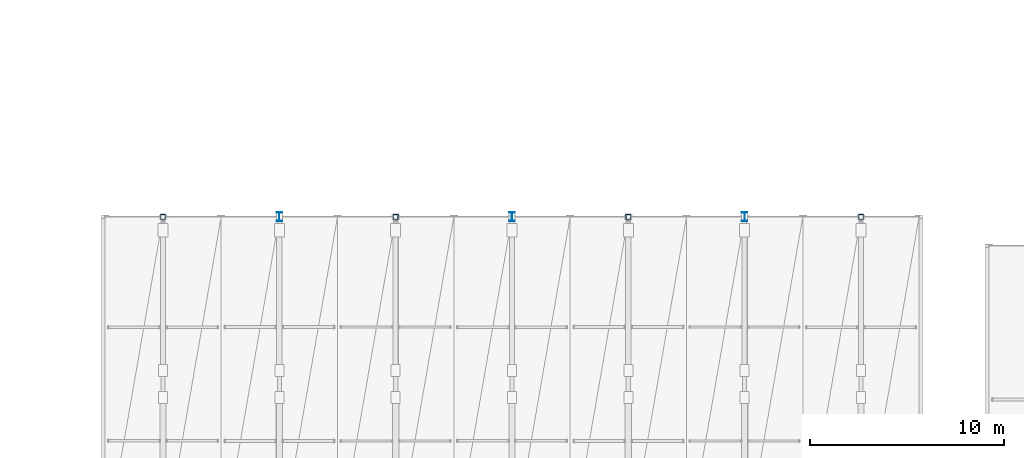
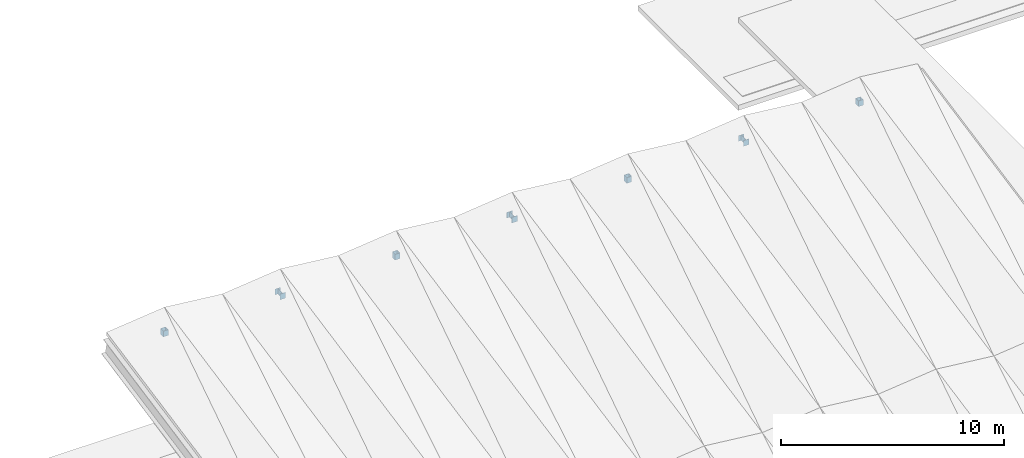
# One storey, part 13 of 52: 7 members.
"""IFC4 building model written with IfcOpenShell, lengths in metres."""

from ifc_helpers import new_model, si_unit, direction, frame, origin, origin_2d, place, context, subcontext, project, spatial, hollow_rectangle, i_section, extrude, material, material_profile, profile_set, type_object, element, save


model = new_model("IFC4")

# Units and contexts
model_context = context("Model", 3, precision=1e-05, world=origin(), true_north=direction((0.0, 1.0)))
body_context = subcontext(model_context, "Body", "Model", "MODEL_VIEW")
ifc_project = project(units=[si_unit("LENGTHUNIT", "METRE"), si_unit("AREAUNIT", "SQUARE_METRE"), si_unit("VOLUMEUNIT", "CUBIC_METRE"), si_unit("PLANEANGLEUNIT", "RADIAN"), si_unit("MASSUNIT", "GRAM", prefix="KILO")], contexts=[model_context])

# Site, building, storey
site_placement = place(None, origin())
site = spatial("IfcSite", under=ifc_project, at=site_placement, CompositionType="ELEMENT")
building_placement = place(site_placement, origin())
building = spatial("IfcBuilding", under=site, at=building_placement, Name="Vaelkrest Opera House", CompositionType="ELEMENT")
storey_placement = place(building_placement, frame((0.0, 0.0, 41.39990234375)))
storey = spatial("IfcBuildingStorey", under=building, at=storey_placement, Name="ROOF", CompositionType="ELEMENT", Elevation=41.39990234375)

# Members
ifc_material_1 = material(Name="Steel A992 Gr50", Category="steel")
ifc_material_profile_1 = material_profile(ifc_material_1, i_section(OverallWidth=0.280029296875, OverallDepth=0.462890625, WebThickness=0.0107421875, FlangeThickness=0.017333984375, at=origin_2d()), Name="W18X76")
ifc_profile_set_1 = profile_set([ifc_material_profile_1], Name="Steel A992 Gr50")
member_type_1 = type_object("IfcMemberType", Name="TC01", PredefinedType="CHORD", material=ifc_profile_set_1)
for number, where, z_axis, x_axis, name in (
    (1, (-66.60009765625, 17.699951171875, -11.7109375), (0.0, 0.0, 1.0), (1.0, 0.0, 0.0), "Ridge saddle post V3-N-03"),
    (2, (-54.60009765625, 17.699951171875, -11.7109375), (0.0, 0.0, 1.0), (1.0, 0.0, 0.0), "Ridge saddle post V3-N-07"),
    (3, (-42.60009765625, 17.699951171875, -11.7109375), (0.0, 0.0, 1.0), (1.0, 0.0, 0.0), "Ridge saddle post V3-N-11"),
):
    element("IfcMember", number, at=place(storey_placement, frame(where, z_axis=z_axis, x_axis=x_axis)), inside=storey, type_object=member_type_1, Name=name, PredefinedType="CHORD", context=body_context, shape_type="SweptSolid", body=[
        extrude(i_section(OverallWidth=0.280029296875, OverallDepth=0.462890625, WebThickness=0.0107421875, FlangeThickness=0.017333984375, at=origin_2d()), origin(), (0.0, 0.0, 1.0), 0.31298828125),
    ])
ifc_material_2 = material(Name="Steel A500 GrC", Category="steel")
ifc_material_profile_2 = material_profile(ifc_material_2, hollow_rectangle(XDim=0.25390625, YDim=0.25390625, WallThickness=0.0126953125, at=origin_2d()), Name="HSS254X254X12.7")
ifc_profile_set_2 = profile_set([ifc_material_profile_2], Name="Steel A500 GrC")
member_type_2 = type_object("IfcMemberType", Name="TC04", PredefinedType="CHORD", material=ifc_profile_set_2)
for number, where, z_axis, x_axis, name in (
    (4, (-72.60009765625, 17.699951171875, -11.7109375), (0.0, 0.0, 1.0), (1.0, 0.0, 0.0), "Ridge saddle post V3-N-01"),
    (5, (-60.60009765625, 17.699951171875, -11.7109375), (0.0, 0.0, 1.0), (1.0, 0.0, 0.0), "Ridge saddle post V3-N-05"),
    (6, (-48.60009765625, 17.699951171875, -11.7109375), (0.0, 0.0, 1.0), (1.0, 0.0, 0.0), "Ridge saddle post V3-N-09"),
    (7, (-36.60009765625, 17.699951171875, -11.7109375), (0.0, 0.0, 1.0), (1.0, 0.0, 0.0), "Ridge saddle post V3-N-13"),
):
    element("IfcMember", number, at=place(storey_placement, frame(where, z_axis=z_axis, x_axis=x_axis)), inside=storey, type_object=member_type_2, Name=name, PredefinedType="CHORD", context=body_context, shape_type="SweptSolid", body=[
        extrude(hollow_rectangle(XDim=0.25390625, YDim=0.25390625, WallThickness=0.0126953125, at=origin_2d()), origin(), (0.0, 0.0, 1.0), 0.31298828125),
    ])

save(model, "model.ifc")
